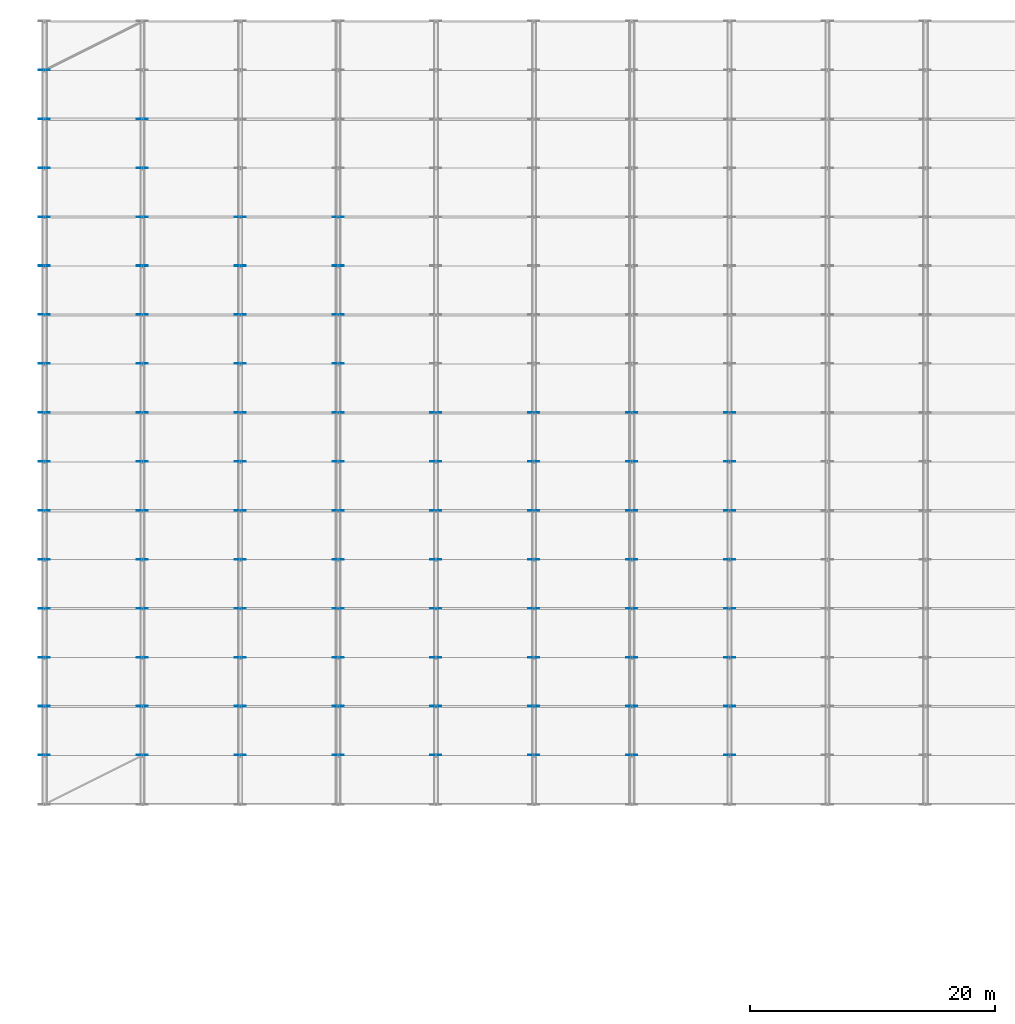
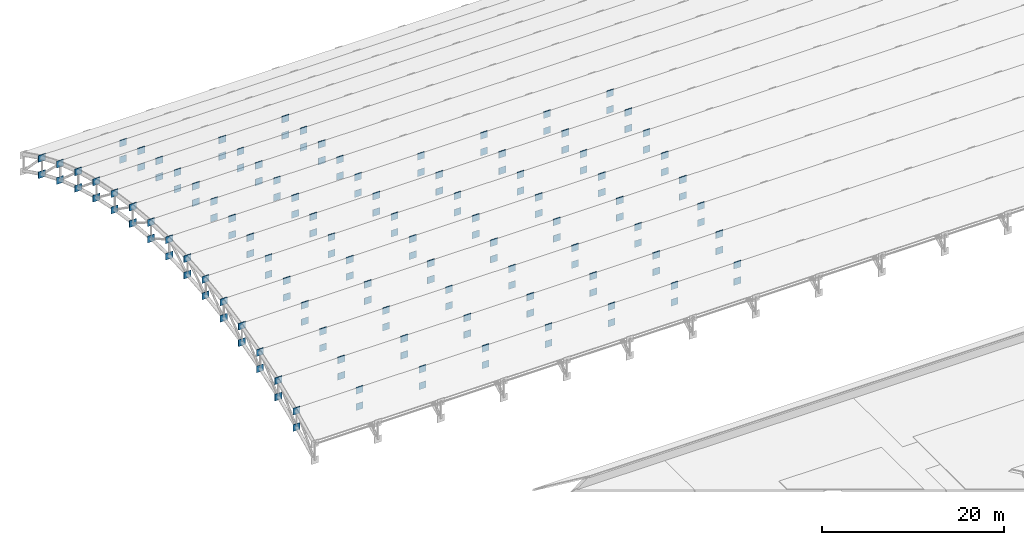
# One storey, part 61 of 98: 170 plates.
"""IFC4 building model written with IfcOpenShell, lengths in metres."""

from ifc_helpers import new_model, si_unit, direction, frame, origin, origin_2d, place, context, subcontext, project, spatial, rectangle, extrude, material, layer, layer_set, type_object, element, save


model = new_model("IFC4")

# Units and contexts
model_context = context("Model", 3, precision=1e-05, world=origin(), true_north=direction((0.0, 1.0)))
body_context = subcontext(model_context, "Body", "Model", "MODEL_VIEW")
ifc_project = project(units=[si_unit("LENGTHUNIT", "METRE"), si_unit("AREAUNIT", "SQUARE_METRE"), si_unit("VOLUMEUNIT", "CUBIC_METRE"), si_unit("PLANEANGLEUNIT", "RADIAN"), si_unit("MASSUNIT", "GRAM", prefix="KILO")], contexts=[model_context])

# Site, building, storey
site_placement = place(None, origin())
site = spatial("IfcSite", under=ifc_project, at=site_placement, CompositionType="ELEMENT")
building_placement = place(site_placement, origin())
building = spatial("IfcBuilding", under=site, at=building_placement, Name="Tlacozan Convention Centre", CompositionType="ELEMENT")
storey_placement = place(building_placement, frame((0.0, 0.0, 25.800048828125)))
storey = spatial("IfcBuildingStorey", under=building, at=storey_placement, Name="Roof", CompositionType="ELEMENT", Elevation=25.800048828125)

# Plates
ifc_material = material(Name="Steel ASTM A572 Grade 50", Category="steel")
ifc_layer = layer(ifc_material, 0.044921875)
ifc_layer_set = layer_set([ifc_layer], Name="Steel ASTM A572 Grade 50")
plate_type = type_object("IfcPlateType", Name="Arch Springing Node Gusset Plate", PredefinedType="SHEET", material=ifc_layer_set)
for number, where, z_axis, x_axis, name in (
    (1, (0.0, 66.023681640625, -9.070556640625), (0.0, 0.0, 1.0), (0.0, 1.0, 0.0), "Roof Gusset Cap Plate 2"),
    (2, (0.0, 66.023681640625, -11.2705078125), (0.0, 0.0, 1.0), (0.0, 1.0, 0.0), "Roof Gusset Cap Plate 4"),
    (3, (0.0, 70.0244140625, -7.416015625), (0.0, 0.0, 1.0), (0.0, 1.0, 0.0), "Roof Gusset Cap Plate 5"),
    (4, (0.0, 70.0244140625, -9.615966796875), (0.0, 0.0, 1.0), (0.0, 1.0, 0.0), "Roof Gusset Cap Plate 6"),
    (5, (0.0, 74.025146484375, -6.049072265625), (0.0, 0.0, 1.0), (0.0, 1.0, 0.0), "Roof Gusset Cap Plate 7"),
    (6, (0.0, 74.025146484375, -8.2490234375), (0.0, 0.0, 1.0), (0.0, 1.0, 0.0), "Roof Gusset Cap Plate 8"),
    (7, (0.0, 78.025634765625, -4.9521484375), (0.0, 0.0, 1.0), (0.0, 1.0, 0.0), "Roof Gusset Cap Plate 9"),
    (8, (0.0, 78.025634765625, -7.152099609375), (0.0, 0.0, 1.0), (0.0, 1.0, 0.0), "Roof Gusset Cap Plate 10"),
    (9, (0.0, 82.02587890625, -4.11181640625), (0.0, 0.0, 1.0), (0.0, 1.0, 0.0), "Roof Gusset Cap Plate 11"),
    (10, (0.0, 82.02587890625, -6.311767578125), (0.0, 0.0, 1.0), (0.0, 1.0, 0.0), "Roof Gusset Cap Plate 12"),
    (11, (0.0, 86.026123046875, -3.518310546875), (0.0, 0.0, 1.0), (0.0, 1.0, 0.0), "Roof Gusset Cap Plate 13"),
    (12, (0.0, 86.026123046875, -5.71826171875), (0.0, 0.0, 1.0), (0.0, 1.0, 0.0), "Roof Gusset Cap Plate 14"),
    (13, (0.0, 90.0263671875, -3.165283203125), (0.0, 0.0, 1.0), (0.0, 1.0, 0.0), "Roof Gusset Cap Plate 15"),
    (14, (0.0, 90.0263671875, -5.365478515625), (0.0, 0.0, 1.0), (0.0, 1.0, 0.0), "Roof Gusset Cap Plate 16"),
    (15, (0.0, 94.026611328125, -3.04931640625), (0.0, 0.0, 1.0), (0.0, 1.0, 0.0), "Roof Gusset Cap Plate 17"),
    (16, (0.0, 94.026611328125, -5.249267578125), (0.0, 0.0, 1.0), (0.0, 1.0, 0.0), "Roof Gusset Cap Plate 18"),
    (17, (0.0, 98.026611328125, -3.16845703125), (0.0, 0.0, 1.0), (0.0, 1.0, 0.0), "Roof Gusset Cap Plate 19"),
    (18, (0.0, 98.026611328125, -5.368408203125), (0.0, 0.0, 1.0), (0.0, 1.0, 0.0), "Roof Gusset Cap Plate 20"),
    (19, (0.0, 102.0263671875, -3.5244140625), (0.0, 0.0, 1.0), (0.0, 1.0, 0.0), "Roof Gusset Cap Plate 21"),
    (20, (0.0, 102.0263671875, -5.724609375), (0.0, 0.0, 1.0), (0.0, 1.0, 0.0), "Roof Gusset Cap Plate 22"),
    (21, (0.0, 106.026123046875, -4.12109375), (0.0, 0.0, 1.0), (0.0, 1.0, 0.0), "Roof Gusset Cap Plate 23"),
    (22, (0.0, 106.026123046875, -6.321044921875), (0.0, 0.0, 1.0), (0.0, 1.0, 0.0), "Roof Gusset Cap Plate 24"),
    (23, (0.0, 110.02587890625, -4.964599609375), (0.0, 0.0, 1.0), (0.0, 1.0, 0.0), "Roof Gusset Cap Plate 25"),
    (24, (0.0, 110.02587890625, -7.164794921875), (0.0, 0.0, 1.0), (0.0, 1.0, 0.0), "Roof Gusset Cap Plate 26"),
    (25, (0.0, 114.025634765625, -6.064697265625), (0.0, 0.0, 1.0), (0.0, 1.0, 0.0), "Roof Gusset Cap Plate 27"),
    (26, (0.0, 114.025634765625, -8.2646484375), (0.0, 0.0, 1.0), (0.0, 1.0, 0.0), "Roof Gusset Cap Plate 28"),
    (27, (0.0, 118.025146484375, -7.434814453125), (0.0, 0.0, 1.0), (0.0, 1.0, 0.0), "Roof Gusset Cap Plate 29"),
    (28, (0.0, 118.025146484375, -9.634765625), (0.0, 0.0, 1.0), (0.0, 1.0, 0.0), "Roof Gusset Cap Plate 30"),
    (29, (0.0, 122.0244140625, -9.09228515625), (0.0, 0.0, 1.0), (0.0, 1.0, 0.0), "Roof Gusset Cap Plate 31"),
    (30, (0.0, 122.0244140625, -11.29248046875), (0.0, 0.0, 1.0), (0.0, 1.0, 0.0), "Roof Gusset Cap Plate 32"),
    (31, (8.0, 66.023681640625, -9.070556640625), (0.0, 0.0, 1.0), (0.0, 1.0, 0.0), "Roof Gusset Cap Plate 36"),
    (32, (8.0, 66.023681640625, -11.2705078125), (0.0, 0.0, 1.0), (0.0, 1.0, 0.0), "Roof Gusset Cap Plate 38"),
    (33, (8.0, 70.0244140625, -7.416015625), (0.0, 0.0, 1.0), (0.0, 1.0, 0.0), "Roof Gusset Cap Plate 39"),
    (34, (8.0, 70.0244140625, -9.615966796875), (0.0, 0.0, 1.0), (0.0, 1.0, 0.0), "Roof Gusset Cap Plate 40"),
    (35, (8.0, 74.025146484375, -6.049072265625), (0.0, 0.0, 1.0), (0.0, 1.0, 0.0), "Roof Gusset Cap Plate 41"),
    (36, (8.0, 74.025146484375, -8.2490234375), (0.0, 0.0, 1.0), (0.0, 1.0, 0.0), "Roof Gusset Cap Plate 42"),
    (37, (8.0, 78.025634765625, -4.9521484375), (0.0, 0.0, 1.0), (0.0, 1.0, 0.0), "Roof Gusset Cap Plate 43"),
    (38, (8.0, 78.025634765625, -7.152099609375), (0.0, 0.0, 1.0), (0.0, 1.0, 0.0), "Roof Gusset Cap Plate 44"),
    (39, (8.0, 82.02587890625, -4.11181640625), (0.0, 0.0, 1.0), (0.0, 1.0, 0.0), "Roof Gusset Cap Plate 45"),
    (40, (8.0, 82.02587890625, -6.311767578125), (0.0, 0.0, 1.0), (0.0, 1.0, 0.0), "Roof Gusset Cap Plate 46"),
    (41, (8.0, 86.026123046875, -3.518310546875), (0.0, 0.0, 1.0), (0.0, 1.0, 0.0), "Roof Gusset Cap Plate 47"),
    (42, (8.0, 86.026123046875, -5.71826171875), (0.0, 0.0, 1.0), (0.0, 1.0, 0.0), "Roof Gusset Cap Plate 48"),
    (43, (8.0, 90.0263671875, -3.165283203125), (0.0, 0.0, 1.0), (0.0, 1.0, 0.0), "Roof Gusset Cap Plate 49"),
    (44, (8.0, 90.0263671875, -5.365478515625), (0.0, 0.0, 1.0), (0.0, 1.0, 0.0), "Roof Gusset Cap Plate 50"),
    (45, (8.0, 94.026611328125, -3.04931640625), (0.0, 0.0, 1.0), (0.0, 1.0, 0.0), "Roof Gusset Cap Plate 51"),
    (46, (8.0, 94.026611328125, -5.249267578125), (0.0, 0.0, 1.0), (0.0, 1.0, 0.0), "Roof Gusset Cap Plate 52"),
    (47, (8.0, 98.026611328125, -3.16845703125), (0.0, 0.0, 1.0), (0.0, 1.0, 0.0), "Roof Gusset Cap Plate 53"),
    (48, (8.0, 98.026611328125, -5.368408203125), (0.0, 0.0, 1.0), (0.0, 1.0, 0.0), "Roof Gusset Cap Plate 54"),
    (49, (8.0, 102.0263671875, -3.5244140625), (0.0, 0.0, 1.0), (0.0, 1.0, 0.0), "Roof Gusset Cap Plate 55"),
    (50, (8.0, 102.0263671875, -5.724609375), (0.0, 0.0, 1.0), (0.0, 1.0, 0.0), "Roof Gusset Cap Plate 56"),
    (51, (8.0, 106.026123046875, -4.12109375), (0.0, 0.0, 1.0), (0.0, 1.0, 0.0), "Roof Gusset Cap Plate 57"),
    (52, (8.0, 106.026123046875, -6.321044921875), (0.0, 0.0, 1.0), (0.0, 1.0, 0.0), "Roof Gusset Cap Plate 58"),
    (53, (8.0, 110.02587890625, -4.964599609375), (0.0, 0.0, 1.0), (0.0, 1.0, 0.0), "Roof Gusset Cap Plate 59"),
    (54, (8.0, 110.02587890625, -7.164794921875), (0.0, 0.0, 1.0), (0.0, 1.0, 0.0), "Roof Gusset Cap Plate 60"),
    (55, (8.0, 114.025634765625, -6.064697265625), (0.0, 0.0, 1.0), (0.0, 1.0, 0.0), "Roof Gusset Cap Plate 61"),
    (56, (8.0, 114.025634765625, -8.2646484375), (0.0, 0.0, 1.0), (0.0, 1.0, 0.0), "Roof Gusset Cap Plate 62"),
    (57, (8.0, 118.025146484375, -7.434814453125), (0.0, 0.0, 1.0), (0.0, 1.0, 0.0), "Roof Gusset Cap Plate 63"),
    (58, (8.0, 118.025146484375, -9.634765625), (0.0, 0.0, 1.0), (0.0, 1.0, 0.0), "Roof Gusset Cap Plate 64"),
    (59, (16.0, 66.023681640625, -9.070556640625), (0.0, 0.0, 1.0), (0.0, 1.0, 0.0), "Roof Gusset Cap Plate 70"),
    (60, (16.0, 66.023681640625, -11.2705078125), (0.0, 0.0, 1.0), (0.0, 1.0, 0.0), "Roof Gusset Cap Plate 72"),
    (61, (16.0, 70.0244140625, -7.416015625), (0.0, 0.0, 1.0), (0.0, 1.0, 0.0), "Roof Gusset Cap Plate 73"),
    (62, (16.0, 70.0244140625, -9.615966796875), (0.0, 0.0, 1.0), (0.0, 1.0, 0.0), "Roof Gusset Cap Plate 74"),
    (63, (16.0, 74.025146484375, -6.049072265625), (0.0, 0.0, 1.0), (0.0, 1.0, 0.0), "Roof Gusset Cap Plate 75"),
    (64, (16.0, 74.025146484375, -8.2490234375), (0.0, 0.0, 1.0), (0.0, 1.0, 0.0), "Roof Gusset Cap Plate 76"),
    (65, (16.0, 78.025634765625, -4.9521484375), (0.0, 0.0, 1.0), (0.0, 1.0, 0.0), "Roof Gusset Cap Plate 77"),
    (66, (16.0, 78.025634765625, -7.152099609375), (0.0, 0.0, 1.0), (0.0, 1.0, 0.0), "Roof Gusset Cap Plate 78"),
    (67, (16.0, 82.02587890625, -4.11181640625), (0.0, 0.0, 1.0), (0.0, 1.0, 0.0), "Roof Gusset Cap Plate 79"),
    (68, (16.0, 82.02587890625, -6.311767578125), (0.0, 0.0, 1.0), (0.0, 1.0, 0.0), "Roof Gusset Cap Plate 80"),
    (69, (16.0, 86.026123046875, -3.518310546875), (0.0, 0.0, 1.0), (0.0, 1.0, 0.0), "Roof Gusset Cap Plate 81"),
    (70, (16.0, 86.026123046875, -5.71826171875), (0.0, 0.0, 1.0), (0.0, 1.0, 0.0), "Roof Gusset Cap Plate 82"),
    (71, (16.0, 90.0263671875, -3.165283203125), (0.0, 0.0, 1.0), (0.0, 1.0, 0.0), "Roof Gusset Cap Plate 83"),
    (72, (16.0, 90.0263671875, -5.365478515625), (0.0, 0.0, 1.0), (0.0, 1.0, 0.0), "Roof Gusset Cap Plate 84"),
    (73, (16.0, 94.026611328125, -3.04931640625), (0.0, 0.0, 1.0), (0.0, 1.0, 0.0), "Roof Gusset Cap Plate 85"),
    (74, (16.0, 94.026611328125, -5.249267578125), (0.0, 0.0, 1.0), (0.0, 1.0, 0.0), "Roof Gusset Cap Plate 86"),
    (75, (16.0, 98.026611328125, -3.16845703125), (0.0, 0.0, 1.0), (0.0, 1.0, 0.0), "Roof Gusset Cap Plate 87"),
    (76, (16.0, 98.026611328125, -5.368408203125), (0.0, 0.0, 1.0), (0.0, 1.0, 0.0), "Roof Gusset Cap Plate 88"),
    (77, (16.0, 102.0263671875, -3.5244140625), (0.0, 0.0, 1.0), (0.0, 1.0, 0.0), "Roof Gusset Cap Plate 89"),
    (78, (16.0, 102.0263671875, -5.724609375), (0.0, 0.0, 1.0), (0.0, 1.0, 0.0), "Roof Gusset Cap Plate 90"),
    (79, (16.0, 106.026123046875, -4.12109375), (0.0, 0.0, 1.0), (0.0, 1.0, 0.0), "Roof Gusset Cap Plate 91"),
    (80, (16.0, 106.026123046875, -6.321044921875), (0.0, 0.0, 1.0), (0.0, 1.0, 0.0), "Roof Gusset Cap Plate 92"),
    (81, (16.0, 110.02587890625, -4.964599609375), (0.0, 0.0, 1.0), (0.0, 1.0, 0.0), "Roof Gusset Cap Plate 93"),
    (82, (16.0, 110.02587890625, -7.164794921875), (0.0, 0.0, 1.0), (0.0, 1.0, 0.0), "Roof Gusset Cap Plate 94"),
    (83, (24.0, 66.023681640625, -9.070556640625), (0.0, 0.0, 1.0), (0.0, 1.0, 0.0), "Roof Gusset Cap Plate 104"),
    (84, (24.0, 66.023681640625, -11.2705078125), (0.0, 0.0, 1.0), (0.0, 1.0, 0.0), "Roof Gusset Cap Plate 106"),
    (85, (24.0, 70.0244140625, -7.416015625), (0.0, 0.0, 1.0), (0.0, 1.0, 0.0), "Roof Gusset Cap Plate 107"),
    (86, (24.0, 70.0244140625, -9.615966796875), (0.0, 0.0, 1.0), (0.0, 1.0, 0.0), "Roof Gusset Cap Plate 108"),
    (87, (24.0, 74.025146484375, -6.049072265625), (0.0, 0.0, 1.0), (0.0, 1.0, 0.0), "Roof Gusset Cap Plate 109"),
    (88, (24.0, 74.025146484375, -8.2490234375), (0.0, 0.0, 1.0), (0.0, 1.0, 0.0), "Roof Gusset Cap Plate 110"),
    (89, (24.0, 78.025634765625, -4.9521484375), (0.0, 0.0, 1.0), (0.0, 1.0, 0.0), "Roof Gusset Cap Plate 111"),
    (90, (24.0, 78.025634765625, -7.152099609375), (0.0, 0.0, 1.0), (0.0, 1.0, 0.0), "Roof Gusset Cap Plate 112"),
    (91, (24.0, 82.02587890625, -4.11181640625), (0.0, 0.0, 1.0), (0.0, 1.0, 0.0), "Roof Gusset Cap Plate 113"),
    (92, (24.0, 82.02587890625, -6.311767578125), (0.0, 0.0, 1.0), (0.0, 1.0, 0.0), "Roof Gusset Cap Plate 114"),
    (93, (24.0, 86.026123046875, -3.518310546875), (0.0, 0.0, 1.0), (0.0, 1.0, 0.0), "Roof Gusset Cap Plate 115"),
    (94, (24.0, 86.026123046875, -5.71826171875), (0.0, 0.0, 1.0), (0.0, 1.0, 0.0), "Roof Gusset Cap Plate 116"),
    (95, (24.0, 90.0263671875, -3.165283203125), (0.0, 0.0, 1.0), (0.0, 1.0, 0.0), "Roof Gusset Cap Plate 117"),
    (96, (24.0, 90.0263671875, -5.365478515625), (0.0, 0.0, 1.0), (0.0, 1.0, 0.0), "Roof Gusset Cap Plate 118"),
    (97, (24.0, 94.026611328125, -3.04931640625), (0.0, 0.0, 1.0), (0.0, 1.0, 0.0), "Roof Gusset Cap Plate 119"),
    (98, (24.0, 94.026611328125, -5.249267578125), (0.0, 0.0, 1.0), (0.0, 1.0, 0.0), "Roof Gusset Cap Plate 120"),
    (99, (24.0, 98.026611328125, -3.16845703125), (0.0, 0.0, 1.0), (0.0, 1.0, 0.0), "Roof Gusset Cap Plate 121"),
    (100, (24.0, 98.026611328125, -5.368408203125), (0.0, 0.0, 1.0), (0.0, 1.0, 0.0), "Roof Gusset Cap Plate 122"),
    (101, (24.0, 102.0263671875, -3.5244140625), (0.0, 0.0, 1.0), (0.0, 1.0, 0.0), "Roof Gusset Cap Plate 123"),
    (102, (24.0, 102.0263671875, -5.724609375), (0.0, 0.0, 1.0), (0.0, 1.0, 0.0), "Roof Gusset Cap Plate 124"),
    (103, (24.0, 106.026123046875, -4.12109375), (0.0, 0.0, 1.0), (0.0, 1.0, 0.0), "Roof Gusset Cap Plate 125"),
    (104, (24.0, 106.026123046875, -6.321044921875), (0.0, 0.0, 1.0), (0.0, 1.0, 0.0), "Roof Gusset Cap Plate 126"),
    (105, (24.0, 110.02587890625, -4.964599609375), (0.0, 0.0, 1.0), (0.0, 1.0, 0.0), "Roof Gusset Cap Plate 127"),
    (106, (24.0, 110.02587890625, -7.164794921875), (0.0, 0.0, 1.0), (0.0, 1.0, 0.0), "Roof Gusset Cap Plate 128"),
    (107, (32.0, 66.023681640625, -9.070556640625), (0.0, 0.0, 1.0), (0.0, 1.0, 0.0), "Roof Gusset Cap Plate 138"),
    (108, (32.0, 66.023681640625, -11.2705078125), (0.0, 0.0, 1.0), (0.0, 1.0, 0.0), "Roof Gusset Cap Plate 140"),
    (109, (32.0, 70.0244140625, -7.416015625), (0.0, 0.0, 1.0), (0.0, 1.0, 0.0), "Roof Gusset Cap Plate 141"),
    (110, (32.0, 70.0244140625, -9.615966796875), (0.0, 0.0, 1.0), (0.0, 1.0, 0.0), "Roof Gusset Cap Plate 142"),
    (111, (32.0, 74.025146484375, -6.049072265625), (0.0, 0.0, 1.0), (0.0, 1.0, 0.0), "Roof Gusset Cap Plate 143"),
    (112, (32.0, 74.025146484375, -8.2490234375), (0.0, 0.0, 1.0), (0.0, 1.0, 0.0), "Roof Gusset Cap Plate 144"),
    (113, (32.0, 78.025634765625, -4.9521484375), (0.0, 0.0, 1.0), (0.0, 1.0, 0.0), "Roof Gusset Cap Plate 145"),
    (114, (32.0, 78.025634765625, -7.152099609375), (0.0, 0.0, 1.0), (0.0, 1.0, 0.0), "Roof Gusset Cap Plate 146"),
    (115, (32.0, 82.02587890625, -4.11181640625), (0.0, 0.0, 1.0), (0.0, 1.0, 0.0), "Roof Gusset Cap Plate 147"),
    (116, (32.0, 82.02587890625, -6.311767578125), (0.0, 0.0, 1.0), (0.0, 1.0, 0.0), "Roof Gusset Cap Plate 148"),
    (117, (32.0, 86.026123046875, -3.518310546875), (0.0, 0.0, 1.0), (0.0, 1.0, 0.0), "Roof Gusset Cap Plate 149"),
    (118, (32.0, 86.026123046875, -5.71826171875), (0.0, 0.0, 1.0), (0.0, 1.0, 0.0), "Roof Gusset Cap Plate 150"),
    (119, (32.0, 90.0263671875, -3.165283203125), (0.0, 0.0, 1.0), (0.0, 1.0, 0.0), "Roof Gusset Cap Plate 151"),
    (120, (32.0, 90.0263671875, -5.365478515625), (0.0, 0.0, 1.0), (0.0, 1.0, 0.0), "Roof Gusset Cap Plate 152"),
    (121, (32.0, 94.026611328125, -3.04931640625), (0.0, 0.0, 1.0), (0.0, 1.0, 0.0), "Roof Gusset Cap Plate 153"),
    (122, (32.0, 94.026611328125, -5.249267578125), (0.0, 0.0, 1.0), (0.0, 1.0, 0.0), "Roof Gusset Cap Plate 154"),
    (123, (40.0, 66.023681640625, -9.070556640625), (0.0, 0.0, 1.0), (0.0, 1.0, 0.0), "Roof Gusset Cap Plate 172"),
    (124, (40.0, 66.023681640625, -11.2705078125), (0.0, 0.0, 1.0), (0.0, 1.0, 0.0), "Roof Gusset Cap Plate 174"),
    (125, (40.0, 70.0244140625, -7.416015625), (0.0, 0.0, 1.0), (0.0, 1.0, 0.0), "Roof Gusset Cap Plate 175"),
    (126, (40.0, 70.0244140625, -9.615966796875), (0.0, 0.0, 1.0), (0.0, 1.0, 0.0), "Roof Gusset Cap Plate 176"),
    (127, (40.0, 74.025146484375, -6.049072265625), (0.0, 0.0, 1.0), (0.0, 1.0, 0.0), "Roof Gusset Cap Plate 177"),
    (128, (40.0, 74.025146484375, -8.2490234375), (0.0, 0.0, 1.0), (0.0, 1.0, 0.0), "Roof Gusset Cap Plate 178"),
    (129, (40.0, 78.025634765625, -4.9521484375), (0.0, 0.0, 1.0), (0.0, 1.0, 0.0), "Roof Gusset Cap Plate 179"),
    (130, (40.0, 78.025634765625, -7.152099609375), (0.0, 0.0, 1.0), (0.0, 1.0, 0.0), "Roof Gusset Cap Plate 180"),
    (131, (40.0, 82.02587890625, -4.11181640625), (0.0, 0.0, 1.0), (0.0, 1.0, 0.0), "Roof Gusset Cap Plate 181"),
    (132, (40.0, 82.02587890625, -6.311767578125), (0.0, 0.0, 1.0), (0.0, 1.0, 0.0), "Roof Gusset Cap Plate 182"),
    (133, (40.0, 86.026123046875, -3.518310546875), (0.0, 0.0, 1.0), (0.0, 1.0, 0.0), "Roof Gusset Cap Plate 183"),
    (134, (40.0, 86.026123046875, -5.71826171875), (0.0, 0.0, 1.0), (0.0, 1.0, 0.0), "Roof Gusset Cap Plate 184"),
    (135, (40.0, 90.0263671875, -3.165283203125), (0.0, 0.0, 1.0), (0.0, 1.0, 0.0), "Roof Gusset Cap Plate 185"),
    (136, (40.0, 90.0263671875, -5.365478515625), (0.0, 0.0, 1.0), (0.0, 1.0, 0.0), "Roof Gusset Cap Plate 186"),
    (137, (40.0, 94.026611328125, -3.04931640625), (0.0, 0.0, 1.0), (0.0, 1.0, 0.0), "Roof Gusset Cap Plate 187"),
    (138, (40.0, 94.026611328125, -5.249267578125), (0.0, 0.0, 1.0), (0.0, 1.0, 0.0), "Roof Gusset Cap Plate 188"),
    (139, (48.0, 66.023681640625, -9.070556640625), (0.0, 0.0, 1.0), (0.0, 1.0, 0.0), "Roof Gusset Cap Plate 206"),
    (140, (48.0, 66.023681640625, -11.2705078125), (0.0, 0.0, 1.0), (0.0, 1.0, 0.0), "Roof Gusset Cap Plate 208"),
    (141, (48.0, 70.0244140625, -7.416015625), (0.0, 0.0, 1.0), (0.0, 1.0, 0.0), "Roof Gusset Cap Plate 209"),
    (142, (48.0, 70.0244140625, -9.615966796875), (0.0, 0.0, 1.0), (0.0, 1.0, 0.0), "Roof Gusset Cap Plate 210"),
    (143, (48.0, 74.025146484375, -6.049072265625), (0.0, 0.0, 1.0), (0.0, 1.0, 0.0), "Roof Gusset Cap Plate 211"),
    (144, (48.0, 74.025146484375, -8.2490234375), (0.0, 0.0, 1.0), (0.0, 1.0, 0.0), "Roof Gusset Cap Plate 212"),
    (145, (48.0, 78.025634765625, -4.9521484375), (0.0, 0.0, 1.0), (0.0, 1.0, 0.0), "Roof Gusset Cap Plate 213"),
    (146, (48.0, 78.025634765625, -7.152099609375), (0.0, 0.0, 1.0), (0.0, 1.0, 0.0), "Roof Gusset Cap Plate 214"),
    (147, (48.0, 82.02587890625, -4.11181640625), (0.0, 0.0, 1.0), (0.0, 1.0, 0.0), "Roof Gusset Cap Plate 215"),
    (148, (48.0, 82.02587890625, -6.311767578125), (0.0, 0.0, 1.0), (0.0, 1.0, 0.0), "Roof Gusset Cap Plate 216"),
    (149, (48.0, 86.026123046875, -3.518310546875), (0.0, 0.0, 1.0), (0.0, 1.0, 0.0), "Roof Gusset Cap Plate 217"),
    (150, (48.0, 86.026123046875, -5.71826171875), (0.0, 0.0, 1.0), (0.0, 1.0, 0.0), "Roof Gusset Cap Plate 218"),
    (151, (48.0, 90.0263671875, -3.165283203125), (0.0, 0.0, 1.0), (0.0, 1.0, 0.0), "Roof Gusset Cap Plate 219"),
    (152, (48.0, 90.0263671875, -5.365478515625), (0.0, 0.0, 1.0), (0.0, 1.0, 0.0), "Roof Gusset Cap Plate 220"),
    (153, (48.0, 94.026611328125, -3.04931640625), (0.0, 0.0, 1.0), (0.0, 1.0, 0.0), "Roof Gusset Cap Plate 221"),
    (154, (48.0, 94.026611328125, -5.249267578125), (0.0, 0.0, 1.0), (0.0, 1.0, 0.0), "Roof Gusset Cap Plate 222"),
    (155, (56.0, 66.023681640625, -9.070556640625), (0.0, 0.0, 1.0), (0.0, 1.0, 0.0), "Roof Gusset Cap Plate 240"),
    (156, (56.0, 66.023681640625, -11.2705078125), (0.0, 0.0, 1.0), (0.0, 1.0, 0.0), "Roof Gusset Cap Plate 242"),
    (157, (56.0, 70.0244140625, -7.416015625), (0.0, 0.0, 1.0), (0.0, 1.0, 0.0), "Roof Gusset Cap Plate 243"),
    (158, (56.0, 70.0244140625, -9.615966796875), (0.0, 0.0, 1.0), (0.0, 1.0, 0.0), "Roof Gusset Cap Plate 244"),
    (159, (56.0, 74.025146484375, -6.049072265625), (0.0, 0.0, 1.0), (0.0, 1.0, 0.0), "Roof Gusset Cap Plate 245"),
    (160, (56.0, 74.025146484375, -8.2490234375), (0.0, 0.0, 1.0), (0.0, 1.0, 0.0), "Roof Gusset Cap Plate 246"),
    (161, (56.0, 78.025634765625, -4.9521484375), (0.0, 0.0, 1.0), (0.0, 1.0, 0.0), "Roof Gusset Cap Plate 247"),
    (162, (56.0, 78.025634765625, -7.152099609375), (0.0, 0.0, 1.0), (0.0, 1.0, 0.0), "Roof Gusset Cap Plate 248"),
    (163, (56.0, 82.02587890625, -4.11181640625), (0.0, 0.0, 1.0), (0.0, 1.0, 0.0), "Roof Gusset Cap Plate 249"),
    (164, (56.0, 82.02587890625, -6.311767578125), (0.0, 0.0, 1.0), (0.0, 1.0, 0.0), "Roof Gusset Cap Plate 250"),
    (165, (56.0, 86.026123046875, -3.518310546875), (0.0, 0.0, 1.0), (0.0, 1.0, 0.0), "Roof Gusset Cap Plate 251"),
    (166, (56.0, 86.026123046875, -5.71826171875), (0.0, 0.0, 1.0), (0.0, 1.0, 0.0), "Roof Gusset Cap Plate 252"),
    (167, (56.0, 90.0263671875, -3.165283203125), (0.0, 0.0, 1.0), (0.0, 1.0, 0.0), "Roof Gusset Cap Plate 253"),
    (168, (56.0, 90.0263671875, -5.365478515625), (0.0, 0.0, 1.0), (0.0, 1.0, 0.0), "Roof Gusset Cap Plate 254"),
    (169, (56.0, 94.026611328125, -3.04931640625), (0.0, 0.0, 1.0), (0.0, 1.0, 0.0), "Roof Gusset Cap Plate 255"),
    (170, (56.0, 94.026611328125, -5.249267578125), (0.0, 0.0, 1.0), (0.0, 1.0, 0.0), "Roof Gusset Cap Plate 256"),
):
    element("IfcPlate", number, at=place(storey_placement, frame(where, z_axis=z_axis, x_axis=x_axis)), inside=storey, type_object=plate_type, Name=name, PredefinedType="SHEET", context=body_context, shape_type="SweptSolid", body=[
        extrude(rectangle(XDim=0.044921875, YDim=0.89990234375, at=origin_2d()), origin(), (0.0, 0.0, 1.0), 0.89990234375),
    ])

save(model, "model.ifc")
